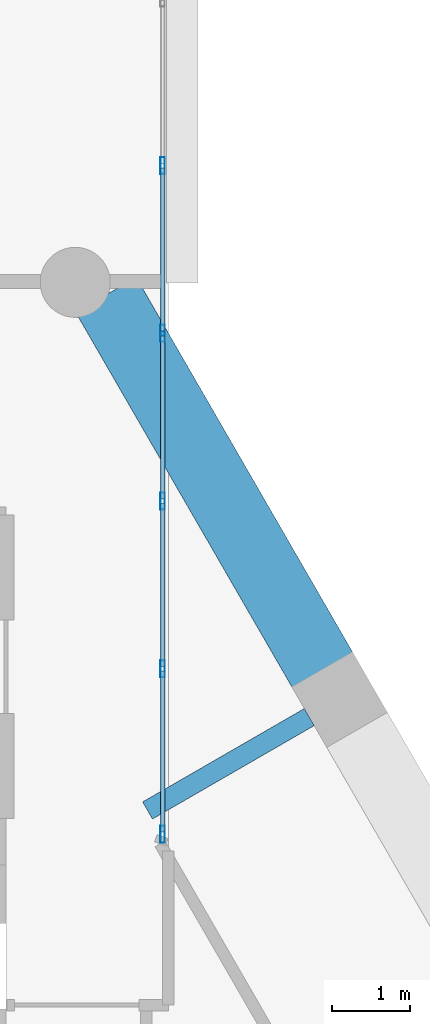
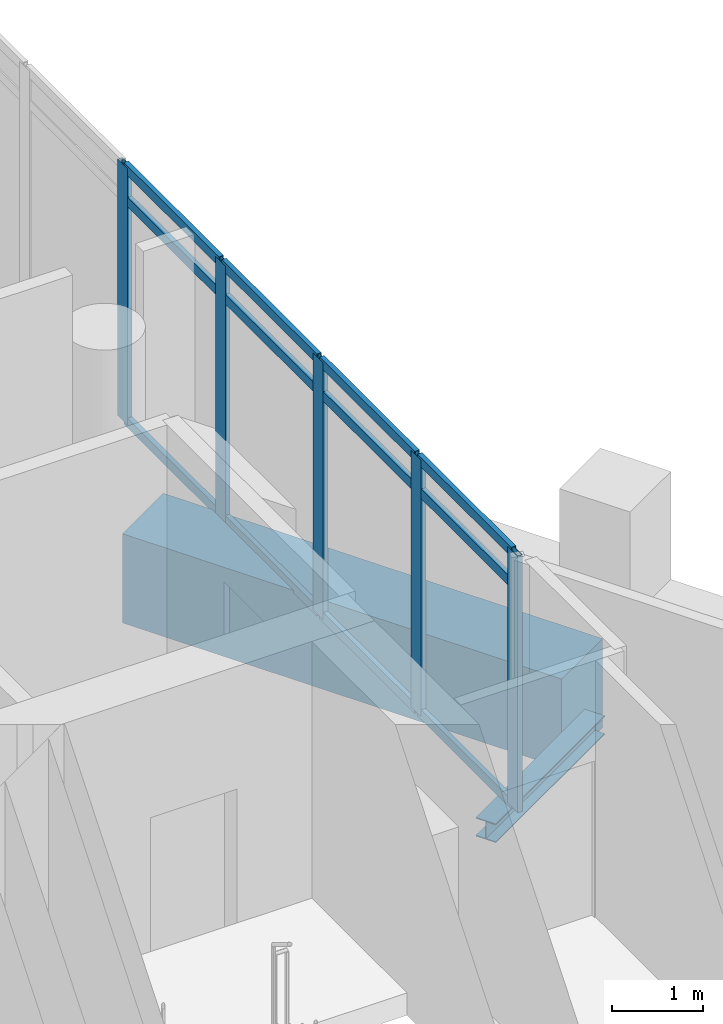
# One storey, part 16 of 34: 17 members, 2 beams, 1 element without a shape of its own.
"""IFC4 building model written with IfcOpenShell, lengths in metres."""

from ifc_helpers import new_model, si_unit, direction, frame, origin, origin_2d, place, context, subcontext, project, spatial, rectangle, hollow_rectangle, i_section, extrude, material, material_profile, profile_set, type_object, element, aggregate, save


model = new_model("IFC4")

# Units and contexts
model_context = context("Model", 3, precision=1e-05, world=origin(), true_north=direction((0.0, 1.0)))
body_context = subcontext(model_context, "Body", "Model", "MODEL_VIEW")
ifc_project = project(units=[si_unit("LENGTHUNIT", "METRE"), si_unit("AREAUNIT", "SQUARE_METRE"), si_unit("VOLUMEUNIT", "CUBIC_METRE"), si_unit("PLANEANGLEUNIT", "RADIAN"), si_unit("MASSUNIT", "GRAM", prefix="KILO")], contexts=[model_context])

# Site, building, storey
site_placement = place(None, origin())
site = spatial("IfcSite", under=ifc_project, at=site_placement, CompositionType="ELEMENT")
building_placement = place(site_placement, origin())
building = spatial("IfcBuilding", under=site, at=building_placement, Name="Ostrander Bayou Hotel Tower", CompositionType="ELEMENT")
storey_placement = place(building_placement, frame((0.0, 0.0, 222.0)))
storey = spatial("IfcBuildingStorey", under=building, at=storey_placement, Name="L55", CompositionType="ELEMENT", Elevation=222.0)

# Curtain wall, members
ifc_material_1 = material(Name="Aluminium and clear glass", Category="aluminium")
curtain_wall_type = type_object("IfcCurtainWallType", Name="CW-BAR glazed wall", PredefinedType="NOTDEFINED", material=ifc_material_1)
curtain_wall_placement = place(storey_placement, origin())
curtain_wall = element("IfcCurtainWall", 1, at=curtain_wall_placement, inside=storey, type_object=curtain_wall_type, Name="CW-BAR L55:SB5N:W", PredefinedType="NOTDEFINED")
ifc_material_2 = material(Name="Aluminium", Category="aluminium")
ifc_material_profile_1 = material_profile(ifc_material_2, hollow_rectangle(XDim=0.06005859375, YDim=0.219970703125, WallThickness=0.00390625, at=origin_2d()))
ifc_profile_set_1 = profile_set([ifc_material_profile_1], Name="Aluminium")
member_type_1 = type_object("IfcMemberType", Name="CW-BR mullion 60 x 220 mm", PredefinedType="MULLION", material=ifc_profile_set_1)
member_1_placement = place(storey_placement, frame((10.51220703125, 9.4951171875, 0.0), z_axis=(0.0, 0.0, 1.0), x_axis=(-1.0, 0.0, 0.0)))
member_1 = element("IfcMember", 2, at=member_1_placement, type_object=member_type_1, Name="CW-BAR mullion 1", PredefinedType="MULLION", context=body_context, shape_type="SweptSolid", body=[
    extrude(hollow_rectangle(XDim=0.06005859375, YDim=0.219970703125, WallThickness=0.00390625, at=origin_2d()), origin(), (0.0, 0.0, 1.0), 3.449951171875),
])
member_2_placement = place(storey_placement, frame((10.51220703125, 11.620849609375, 0.0), z_axis=(0.0, 0.0, 1.0), x_axis=(-1.0, 0.0, 0.0)))
member_2 = element("IfcMember", 3, at=member_2_placement, type_object=member_type_1, Name="CW-BAR mullion 2", PredefinedType="MULLION", context=body_context, shape_type="SweptSolid", body=[
    extrude(hollow_rectangle(XDim=0.06005859375, YDim=0.219970703125, WallThickness=0.00390625, at=origin_2d()), origin(), (0.0, 0.0, 1.0), 3.449951171875),
])
member_3_placement = place(storey_placement, frame((10.51220703125, 13.7763671875, 0.0), z_axis=(0.0, 0.0, 1.0), x_axis=(-1.0, 0.0, 0.0)))
member_3 = element("IfcMember", 4, at=member_3_placement, type_object=member_type_1, Name="CW-BAR mullion 3", PredefinedType="MULLION", context=body_context, shape_type="SweptSolid", body=[
    extrude(hollow_rectangle(XDim=0.06005859375, YDim=0.219970703125, WallThickness=0.00390625, at=origin_2d()), origin(), (0.0, 0.0, 1.0), 3.449951171875),
])
member_4_placement = place(storey_placement, frame((10.51220703125, 15.93212890625, 0.0), z_axis=(0.0, 0.0, 1.0), x_axis=(-1.0, 0.0, 0.0)))
member_4 = element("IfcMember", 5, at=member_4_placement, type_object=member_type_1, Name="CW-BAR mullion 4", PredefinedType="MULLION", context=body_context, shape_type="SweptSolid", body=[
    extrude(hollow_rectangle(XDim=0.06005859375, YDim=0.219970703125, WallThickness=0.00390625, at=origin_2d()), origin(), (0.0, 0.0, 1.0), 3.449951171875),
])
member_5_placement = place(storey_placement, frame((10.51220703125, 18.087890625, 0.0), z_axis=(0.0, 0.0, 1.0), x_axis=(-1.0, 0.0, 0.0)))
member_5 = element("IfcMember", 6, at=member_5_placement, type_object=member_type_1, Name="CW-BAR mullion 5", PredefinedType="MULLION", context=body_context, shape_type="SweptSolid", body=[
    extrude(hollow_rectangle(XDim=0.06005859375, YDim=0.219970703125, WallThickness=0.00390625, at=origin_2d()), origin(), (0.0, 0.0, 1.0), 3.449951171875),
])
ifc_material_3 = material(Name="Aluminium", Category="aluminium")
ifc_material_profile_2 = material_profile(ifc_material_3, hollow_rectangle(XDim=0.06005859375, YDim=0.1298828125, WallThickness=0.00390625, at=origin_2d()))
ifc_profile_set_2 = profile_set([ifc_material_profile_2], Name="Aluminium")
member_type_2 = type_object("IfcMemberType", Name="CW-BR transom 60 x 130 mm", PredefinedType="USERDEFINED", material=ifc_profile_set_2)
member_6_placement = place(storey_placement, frame((10.51220703125, 9.52490234375, 0.030029296875), z_axis=(0.0, 1.0, 0.0), x_axis=(-1.0, 0.0, 0.0)))
member_6 = element("IfcMember", 7, at=member_6_placement, type_object=member_type_2, Name="CW-BAR transom 1.1", ObjectType="TRANSOM", PredefinedType="USERDEFINED", context=body_context, shape_type="SweptSolid", body=[
    extrude(hollow_rectangle(XDim=0.06005859375, YDim=0.1298828125, WallThickness=0.00390625, at=origin_2d()), origin(), (0.0, 0.0, 1.0), 2.06591796875),
])
member_7_placement = place(storey_placement, frame((10.51220703125, 9.52490234375, 3.0), z_axis=(0.0, 1.0, 0.0), x_axis=(-1.0, 0.0, 0.0)))
member_7 = element("IfcMember", 8, at=member_7_placement, type_object=member_type_2, Name="CW-BAR transom 1.2", ObjectType="TRANSOM", PredefinedType="USERDEFINED", context=body_context, shape_type="SweptSolid", body=[
    extrude(hollow_rectangle(XDim=0.06005859375, YDim=0.1298828125, WallThickness=0.00390625, at=origin_2d()), origin(), (0.0, 0.0, 1.0), 2.06591796875),
])
member_8_placement = place(storey_placement, frame((10.51220703125, 9.52490234375, 3.419921875), z_axis=(0.0, 1.0, 0.0), x_axis=(-1.0, 0.0, 0.0)))
member_8 = element("IfcMember", 9, at=member_8_placement, type_object=member_type_2, Name="CW-BAR transom 1.3", ObjectType="TRANSOM", PredefinedType="USERDEFINED", context=body_context, shape_type="SweptSolid", body=[
    extrude(hollow_rectangle(XDim=0.06005859375, YDim=0.1298828125, WallThickness=0.00390625, at=origin_2d()), origin(), (0.0, 0.0, 1.0), 2.06591796875),
])
member_9_placement = place(storey_placement, frame((10.51220703125, 11.650634765625, 0.030029296875), z_axis=(0.0, 1.0, 0.0), x_axis=(-1.0, 0.0, 0.0)))
member_9 = element("IfcMember", 10, at=member_9_placement, type_object=member_type_2, Name="CW-BAR transom 2.1", ObjectType="TRANSOM", PredefinedType="USERDEFINED", context=body_context, shape_type="SweptSolid", body=[
    extrude(hollow_rectangle(XDim=0.06005859375, YDim=0.1298828125, WallThickness=0.00390625, at=origin_2d()), origin(), (0.0, 0.0, 1.0), 2.095947265625),
])
member_10_placement = place(storey_placement, frame((10.51220703125, 11.650634765625, 3.0), z_axis=(0.0, 1.0, 0.0), x_axis=(-1.0, 0.0, 0.0)))
member_10 = element("IfcMember", 11, at=member_10_placement, type_object=member_type_2, Name="CW-BAR transom 2.2", ObjectType="TRANSOM", PredefinedType="USERDEFINED", context=body_context, shape_type="SweptSolid", body=[
    extrude(hollow_rectangle(XDim=0.06005859375, YDim=0.1298828125, WallThickness=0.00390625, at=origin_2d()), origin(), (0.0, 0.0, 1.0), 2.095947265625),
])
member_11_placement = place(storey_placement, frame((10.51220703125, 11.650634765625, 3.419921875), z_axis=(0.0, 1.0, 0.0), x_axis=(-1.0, 0.0, 0.0)))
member_11 = element("IfcMember", 12, at=member_11_placement, type_object=member_type_2, Name="CW-BAR transom 2.3", ObjectType="TRANSOM", PredefinedType="USERDEFINED", context=body_context, shape_type="SweptSolid", body=[
    extrude(hollow_rectangle(XDim=0.06005859375, YDim=0.1298828125, WallThickness=0.00390625, at=origin_2d()), origin(), (0.0, 0.0, 1.0), 2.095947265625),
])
member_12_placement = place(storey_placement, frame((10.51220703125, 13.806396484375, 0.030029296875), z_axis=(0.0, 1.0, 0.0), x_axis=(-1.0, 0.0, 0.0)))
member_12 = element("IfcMember", 13, at=member_12_placement, type_object=member_type_2, Name="CW-BAR transom 3.1", ObjectType="TRANSOM", PredefinedType="USERDEFINED", context=body_context, shape_type="SweptSolid", body=[
    extrude(hollow_rectangle(XDim=0.06005859375, YDim=0.1298828125, WallThickness=0.00390625, at=origin_2d()), origin(), (0.0, 0.0, 1.0), 2.095703125),
])
member_13_placement = place(storey_placement, frame((10.51220703125, 13.806396484375, 3.0), z_axis=(0.0, 1.0, 0.0), x_axis=(-1.0, 0.0, 0.0)))
member_13 = element("IfcMember", 14, at=member_13_placement, type_object=member_type_2, Name="CW-BAR transom 3.2", ObjectType="TRANSOM", PredefinedType="USERDEFINED", context=body_context, shape_type="SweptSolid", body=[
    extrude(hollow_rectangle(XDim=0.06005859375, YDim=0.1298828125, WallThickness=0.00390625, at=origin_2d()), origin(), (0.0, 0.0, 1.0), 2.095703125),
])
member_14_placement = place(storey_placement, frame((10.51220703125, 13.806396484375, 3.419921875), z_axis=(0.0, 1.0, 0.0), x_axis=(-1.0, 0.0, 0.0)))
member_14 = element("IfcMember", 15, at=member_14_placement, type_object=member_type_2, Name="CW-BAR transom 3.3", ObjectType="TRANSOM", PredefinedType="USERDEFINED", context=body_context, shape_type="SweptSolid", body=[
    extrude(hollow_rectangle(XDim=0.06005859375, YDim=0.1298828125, WallThickness=0.00390625, at=origin_2d()), origin(), (0.0, 0.0, 1.0), 2.095703125),
])
member_15_placement = place(storey_placement, frame((10.51220703125, 15.962158203125, 0.030029296875), z_axis=(0.0, 1.0, 0.0), x_axis=(-1.0, 0.0, 0.0)))
member_15 = element("IfcMember", 16, at=member_15_placement, type_object=member_type_2, Name="CW-BAR transom 4.1", ObjectType="TRANSOM", PredefinedType="USERDEFINED", context=body_context, shape_type="SweptSolid", body=[
    extrude(hollow_rectangle(XDim=0.06005859375, YDim=0.1298828125, WallThickness=0.00390625, at=origin_2d()), origin(), (0.0, 0.0, 1.0), 2.095703125),
])
member_16_placement = place(storey_placement, frame((10.51220703125, 15.962158203125, 3.0), z_axis=(0.0, 1.0, 0.0), x_axis=(-1.0, 0.0, 0.0)))
member_16 = element("IfcMember", 17, at=member_16_placement, type_object=member_type_2, Name="CW-BAR transom 4.2", ObjectType="TRANSOM", PredefinedType="USERDEFINED", context=body_context, shape_type="SweptSolid", body=[
    extrude(hollow_rectangle(XDim=0.06005859375, YDim=0.1298828125, WallThickness=0.00390625, at=origin_2d()), origin(), (0.0, 0.0, 1.0), 2.095703125),
])
member_17_placement = place(storey_placement, frame((10.51220703125, 15.962158203125, 3.419921875), z_axis=(0.0, 1.0, 0.0), x_axis=(-1.0, 0.0, 0.0)))
member_17 = element("IfcMember", 18, at=member_17_placement, type_object=member_type_2, Name="CW-BAR transom 4.3", ObjectType="TRANSOM", PredefinedType="USERDEFINED", context=body_context, shape_type="SweptSolid", body=[
    extrude(hollow_rectangle(XDim=0.06005859375, YDim=0.1298828125, WallThickness=0.00390625, at=origin_2d()), origin(), (0.0, 0.0, 1.0), 2.095703125),
])
aggregate(curtain_wall, [member_1, member_2, member_3, member_4, member_5, member_6, member_7, member_8, member_9, member_10, member_11, member_12, member_13, member_14, member_15, member_16, member_17])

# Beams
ifc_material_4 = material(Name="Steel ASTM A992", Category="steel")
ifc_material_profile_3 = material_profile(ifc_material_4, i_section(OverallWidth=0.25390625, OverallDepth=0.25341796875, WebThickness=0.008544921875, FlangeThickness=0.01416015625, at=origin_2d()))
ifc_profile_set_3 = profile_set([ifc_material_profile_3], Name="Steel ASTM A992")
beam_type_1 = type_object("IfcBeamType", Name="LB2 loggia bracket W10x49", PredefinedType="BEAM", material=ifc_profile_set_3)
beam_1_placement = place(storey_placement, frame((12.396484375, 11.00146484375, -0.4267578125), z_axis=(-0.866050077142, -0.499957262057, 0.0), x_axis=(0.499957262057, -0.866050077142, 0.0)))
element("IfcBeam", 19, at=beam_1_placement, inside=storey, type_object=beam_type_1, Name="LB2 L55 NE2", PredefinedType="BEAM", context=body_context, shape_type="SweptSolid", body=[
    extrude(i_section(OverallWidth=0.25390625, OverallDepth=0.25341796875, WebThickness=0.008544921875, FlangeThickness=0.01416015625, at=origin_2d()), origin(), (0.0, 0.0, 1.0), 2.400146484375),
])
ifc_material_5 = material(Name="Concrete f'c 60 MPa", Category="concrete")
ifc_material_profile_4 = material_profile(ifc_material_5, rectangle(XDim=0.89990234375, YDim=1.199951171875, at=origin_2d()))
ifc_profile_set_4 = profile_set([ifc_material_profile_4], Name="Concrete f'c 60 MPa")
beam_type_2 = type_object("IfcBeamType", Name="SP4 spandrel beam 900 x 1200 mm f'c 60 MPa", PredefinedType="SPANDREL", material=ifc_profile_set_4)
beam_2_placement = place(storey_placement, frame((12.576171875, 11.590087890625, -0.60009765625), z_axis=(-0.500007442593, 0.866021106759, 0.0), x_axis=(-0.866021106759, -0.500007442593, 0.0)))
element("IfcBeam", 20, at=beam_2_placement, inside=storey, type_object=beam_type_2, Name="SP4 L55 NE-3", PredefinedType="SPANDREL", context=body_context, shape_type="SweptSolid", body=[
    extrude(rectangle(XDim=0.89990234375, YDim=1.199951171875, at=origin_2d()), origin(), (0.0, 0.0, 1.0), 5.58642578125),
])

save(model, "model.ifc")
